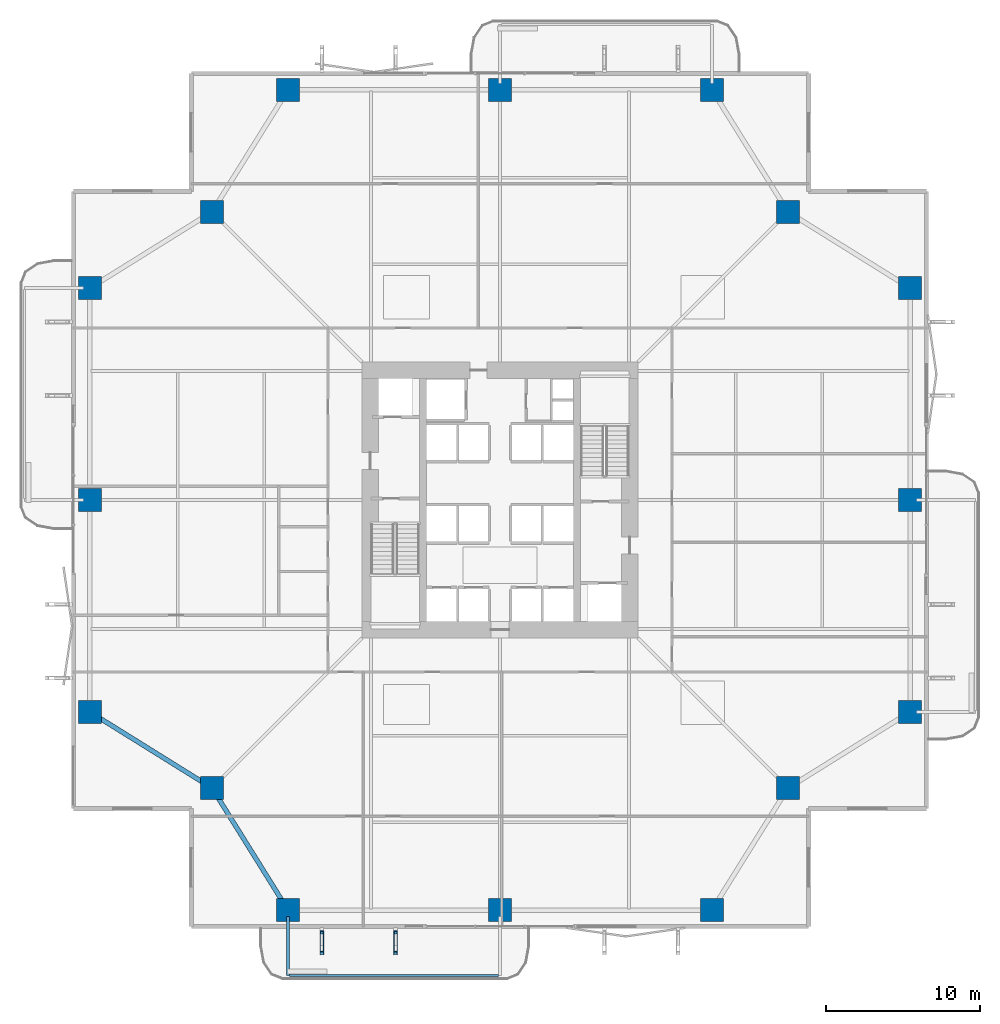
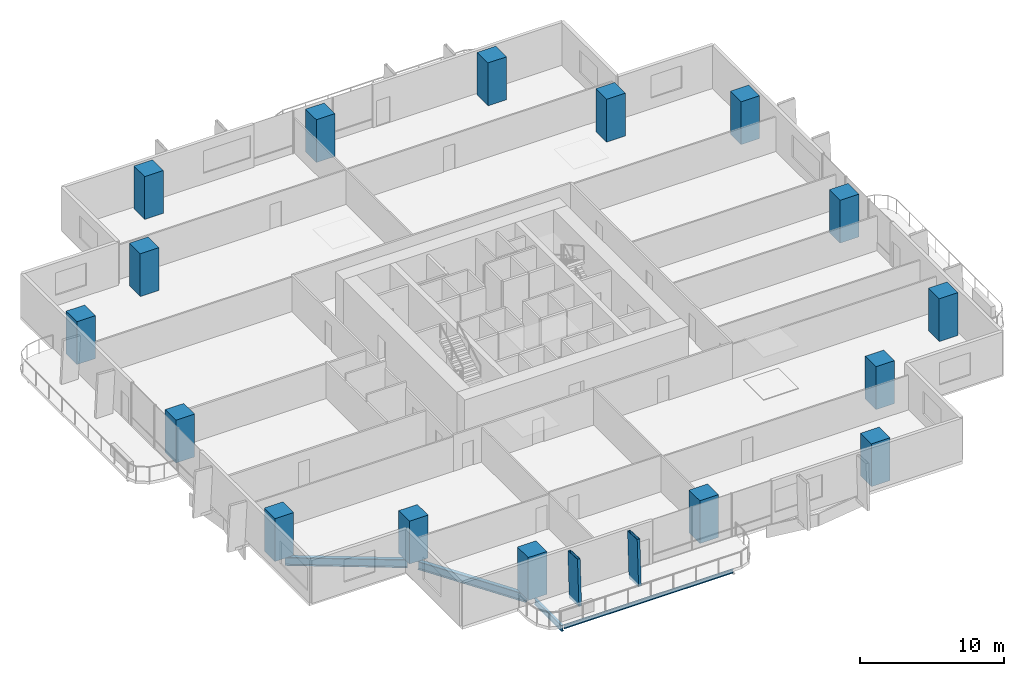
# One storey, part 1 of 23: 16 columns, 4 beams, 2 members.
"""IFC4 building model written with IfcOpenShell, lengths in metres."""

import ifcopenshell
import ifcopenshell.guid

model = None  # the IFC model being written
_history = None  # IfcOwnerHistory: only IFC2X3 demands one
_inside = {}  # id of a spatial element -> (the spatial element, [elements in it])
_under = {}  # id of a project, library or spatial element -> (it, [spatial elements below it])
_declared = {}  # id of a project -> (the project, [libraries it declares])
_typed = {}  # id of a type object -> (the type object, [elements of that type])
_made_of = {}  # id of a material, layer set ... -> (it, [elements and type objects made of it])


def new_model(schema):
    """Start an empty IFC model of exactly this schema.

    Asked for "IFC4X3", IfcOpenShell would pick the latest addendum, in which some entities
    have other attributes; the version numbers below select the first issue.
    IFC2X3 requires an IfcOwnerHistory on every rooted entity: one is made here for all.
    """
    global model, _history
    if schema == "IFC4X3":
        model = ifcopenshell.file(schema_version=(4, 3, 0, 0))
    else:
        model = ifcopenshell.file(schema=schema)
    _inside.clear()
    _under.clear()
    _declared.clear()
    _typed.clear()
    _made_of.clear()
    _history = None
    if model.schema == "IFC2X3":
        org = make("IfcOrganization", Name="unknown")
        user = make(
            "IfcPersonAndOrganization",
            ThePerson=make("IfcPerson", FamilyName="unknown"),
            TheOrganization=org,
        )
        app = make(
            "IfcApplication",
            ApplicationDeveloper=org,
            Version="unknown",
            ApplicationFullName="unknown",
            ApplicationIdentifier="unknown",
        )
        _history = make(
            "IfcOwnerHistory",
            OwningUser=user,
            OwningApplication=app,
            ChangeAction="ADDED",
            CreationDate=0,
        )
    return model


def make(cls, **values):
    """One entity of the class cls with the attributes given. An attribute that is None is left unset."""
    return model.create_entity(
        cls, **{name: value for name, value in values.items() if value is not None}
    )


def rooted(cls, **values):
    """An entity with a GlobalId (a new one), such as an element, a storey or a relation."""
    return make(cls, GlobalId=ifcopenshell.guid.new(), OwnerHistory=_history, **values)


def si_unit(unit_type, name, prefix=None):
    """IfcSIUnit, for example si_unit("LENGTHUNIT", "METRE", prefix="MILLI")."""
    return make("IfcSIUnit", UnitType=unit_type, Prefix=prefix, Name=name)


def assignment(units):
    """IfcUnitAssignment: the units of a project."""
    return None if units is None else make("IfcUnitAssignment", Units=units)


def point(xyz):
    """IfcCartesianPoint."""
    return None if xyz is None else make("IfcCartesianPoint", Coordinates=xyz)


def direction(xyz):
    """IfcDirection."""
    return None if xyz is None else make("IfcDirection", DirectionRatios=xyz)


def frame(location, z_axis=None, x_axis=None):
    """IfcAxis2Placement3D, a coordinate frame: its origin and axes. An axis left out is left unset."""
    return make(
        "IfcAxis2Placement3D",
        Location=point(location),
        Axis=direction(z_axis),
        RefDirection=direction(x_axis),
    )


def frame_2d(location, x_axis=None):
    """IfcAxis2Placement2D, a coordinate frame in the plane: its origin and x axis."""
    return make(
        "IfcAxis2Placement2D", Location=point(location), RefDirection=direction(x_axis)
    )


def origin():
    """The frame at (0, 0, 0) with its axes left unset."""
    return frame((0.0, 0.0, 0.0))


def origin_2d():
    """The frame at (0, 0) in the plane with its x axis left unset."""
    return frame_2d((0.0, 0.0))


def place(relative_to, where):
    """IfcLocalPlacement: puts the frame where relative to a parent placement (None: the world)."""
    return make(
        "IfcLocalPlacement", PlacementRelTo=relative_to, RelativePlacement=where
    )


def context(
    kind, dimensions, precision=None, world=None, true_north=None, identifier=None
):
    """IfcGeometricRepresentationContext, for example the 3D "Model" context."""
    return make(
        "IfcGeometricRepresentationContext",
        ContextIdentifier=identifier,
        ContextType=kind,
        CoordinateSpaceDimension=dimensions,
        Precision=precision,
        WorldCoordinateSystem=world,
        TrueNorth=true_north,
    )


def subcontext(parent, identifier, kind, view, scale=None):
    """IfcGeometricRepresentationSubContext, for example "Body" below "Model"."""
    return make(
        "IfcGeometricRepresentationSubContext",
        ContextIdentifier=identifier,
        ContextType=kind,
        ParentContext=parent,
        TargetScale=scale,
        TargetView=view,
    )


def project(units=None, contexts=None):
    """IfcProject with its units and contexts."""
    return rooted(
        "IfcProject",
        Name="project",
        RepresentationContexts=contexts,
        UnitsInContext=assignment(units),
    )


def spatial(cls, under=None, at=None, **own):
    """A site, building, storey or space (cls), placed at a placement, below another one or the project."""
    s = rooted(cls, ObjectPlacement=at, **own)
    if under is not None:
        _under.setdefault(under.id(), (under, []))[1].append(s)
    return s


def profile(cls, at=None, kind="AREA", **sizes):
    """A parametric profile (cls). Its sizes go by their IFC names, for example OverallWidth=200.0."""
    return make(cls, ProfileType=kind, Position=at, **sizes)


def rectangle(**sizes):
    """IfcRectangleProfileDef."""
    return profile("IfcRectangleProfileDef", **sizes)


def hollow_rectangle(**sizes):
    """IfcRectangleHollowProfileDef."""
    return profile("IfcRectangleHollowProfileDef", **sizes)


def i_section(**sizes):
    """IfcIShapeProfileDef."""
    return profile("IfcIShapeProfileDef", **sizes)


def extrude(swept, where, along, depth):
    """IfcExtrudedAreaSolid: the profile swept, set in the frame where, extruded along a direction by depth."""
    return make(
        "IfcExtrudedAreaSolid",
        SweptArea=swept,
        Position=where,
        ExtrudedDirection=direction(along),
        Depth=depth,
    )


def shape(context_of_items, identifier, shape_type, items):
    """IfcShapeRepresentation: the items that make up one representation, for example the "Body"."""
    return make(
        "IfcShapeRepresentation",
        ContextOfItems=context_of_items,
        RepresentationIdentifier=identifier,
        RepresentationType=shape_type,
        Items=items,
    )


def material(Name=None, Category=None):
    """IfcMaterial."""
    return make("IfcMaterial", Name=Name, Category=Category)


def material_profile(
    of_material, cross_section, Name=None, Category=None, Priority=None
):
    """IfcMaterialProfile: a cross section and its material."""
    return make(
        "IfcMaterialProfile",
        Name=Name,
        Material=of_material,
        Profile=cross_section,
        Priority=Priority,
        Category=Category,
    )


def profile_set(profiles, Name=None, composite=None):
    """IfcMaterialProfileSet."""
    return make(
        "IfcMaterialProfileSet",
        Name=Name,
        MaterialProfiles=profiles,
        CompositeProfile=composite,
    )


def made_of(thing, what):
    """Note that an element or type object is made of a material, layer set ...; save() writes the relation."""
    if what is not None:
        _made_of.setdefault(what.id(), (what, []))[1].append(thing)
    return thing


def type_object(cls, material=None, **own):
    """A type object (cls), such as IfcWallType, which elements share."""
    return made_of(rooted(cls, **own), material)


def element(
    cls,
    number,
    at=None,
    inside=None,
    cuts=None,
    type_object=None,
    material=None,
    context=None,
    identifier="Body",
    shape_type=None,
    held_by="IfcProductDefinitionShape",
    body=None,
    shapes=None,
    **own,
):
    """One element of the class cls, such as IfcWall. Its Tag is "e" and its number.

    at: its placement. inside: the storey or other place that contains it. cuts: it is an
    opening in that element (IfcRelVoidsElement). A single representation is given by context,
    identifier, shape_type and body (its items); several are given by shapes. held_by: the class
    of the entity that holds the representations. save() writes the other relations.
    """
    e = rooted(cls, Tag="e%d" % number, ObjectPlacement=at, **own)
    if body is not None:
        shapes = [shape(context, identifier, shape_type, body)]
    if shapes is not None:
        e.Representation = make(held_by, Representations=shapes)
    if inside is not None:
        _inside.setdefault(inside.id(), (inside, []))[1].append(e)
    if cuts is not None:
        rooted(
            "IfcRelVoidsElement", RelatingBuildingElement=cuts, RelatedOpeningElement=e
        )
    if type_object is not None:
        _typed.setdefault(type_object.id(), (type_object, []))[1].append(e)
    return made_of(e, material)


def aggregate(whole, parts):
    """IfcRelAggregates: a whole, such as a stair, and the parts it consists of."""
    return rooted("IfcRelAggregates", RelatingObject=whole, RelatedObjects=parts)


def save(model, path):
    """Write the relations noted so far, then the file.

    IfcRelAggregates (storeys below a building ...), IfcRelContainedInSpatialStructure (elements
    in a storey), IfcRelDefinesByType, IfcRelAssociatesMaterial and IfcRelDeclares: one each for
    every whole, place, type object, material and project.
    """
    for whole, parts in _under.values():
        aggregate(whole, parts)
    for where, things in _inside.values():
        rooted(
            "IfcRelContainedInSpatialStructure",
            RelatedElements=things,
            RelatingStructure=where,
        )
    for kind, things in _typed.values():
        rooted("IfcRelDefinesByType", RelatedObjects=things, RelatingType=kind)
    for what, things in _made_of.values():
        rooted("IfcRelAssociatesMaterial", RelatedObjects=things, RelatingMaterial=what)
    for by, libraries in _declared.values():
        rooted("IfcRelDeclares", RelatingContext=by, RelatedDefinitions=libraries)
    model.write(path)


model = new_model("IFC4")

# Units and contexts
model_context = context("Model", 3, precision=1e-05, world=origin(), true_north=direction((0.0, 1.0)))
body_context = subcontext(model_context, "Body", "Model", "MODEL_VIEW")
ifc_project = project(units=[si_unit("LENGTHUNIT", "METRE"), si_unit("AREAUNIT", "SQUARE_METRE"), si_unit("VOLUMEUNIT", "CUBIC_METRE"), si_unit("PLANEANGLEUNIT", "RADIAN"), si_unit("MASSUNIT", "GRAM", prefix="KILO")], contexts=[model_context])

# Site, building, storey
site_placement = place(None, origin())
site = spatial("IfcSite", under=ifc_project, at=site_placement, CompositionType="ELEMENT")
building_placement = place(site_placement, origin())
building = spatial("IfcBuilding", under=site, at=building_placement, Name="Belovzor Exchange Tower", CompositionType="ELEMENT")
storey_placement = place(building_placement, frame((0.0, 0.0, 76.800048828125)))
storey = spatial("IfcBuildingStorey", under=building, at=storey_placement, Name="L18", CompositionType="ELEMENT", Elevation=76.800048828125)

# Columns
ifc_material_1 = material(Name="Concrete C60/75", Category="concrete")
ifc_material_profile_1 = material_profile(ifc_material_1, rectangle(XDim=1.5, YDim=1.5, at=origin_2d()))
ifc_profile_set_1 = profile_set([ifc_material_profile_1], Name="Concrete C60/75")
column_type = type_object("IfcColumnType", Name="Reinforced Concrete Tower Column 1500x1500", PredefinedType="COLUMN", material=ifc_profile_set_1)
for number, where, z_axis, x_axis, name in (
    (1, (15.0, 2.10009765625, 0.0029296875), (0.0, 0.0, 1.0), (1.0, 0.0, 0.0), "COL-T150 Reinforced Concrete Tower Column 1500x1500"),
    (2, (28.800048828125, 2.10009765625, 0.0029296875), (0.0, 0.0, 1.0), (1.0, 0.0, 0.0), "COL-T150 Reinforced Concrete Tower Column 1500x1500"),
    (3, (42.60009765625, 2.10009765625, 0.0029296875), (0.0, 0.0, 1.0), (1.0, 0.0, 0.0), "COL-T150 Reinforced Concrete Tower Column 1500x1500"),
    (4, (55.5, 15.0, 0.0029296875), (0.0, 0.0, 1.0), (1.0, 0.0, 0.0), "COL-T150 Reinforced Concrete Tower Column 1500x1500"),
    (5, (55.5, 28.800048828125, 0.0029296875), (0.0, 0.0, 1.0), (1.0, 0.0, 0.0), "COL-T150 Reinforced Concrete Tower Column 1500x1500"),
    (6, (55.5, 42.60009765625, 0.0029296875), (0.0, 0.0, 1.0), (1.0, 0.0, 0.0), "COL-T150 Reinforced Concrete Tower Column 1500x1500"),
    (7, (42.60009765625, 55.5, 0.0029296875), (0.0, 0.0, 1.0), (1.0, 0.0, 0.0), "COL-T150 Reinforced Concrete Tower Column 1500x1500"),
    (8, (28.800048828125, 55.5, 0.0029296875), (0.0, 0.0, 1.0), (1.0, 0.0, 0.0), "COL-T150 Reinforced Concrete Tower Column 1500x1500"),
    (9, (15.0, 55.5, 0.0029296875), (0.0, 0.0, 1.0), (1.0, 0.0, 0.0), "COL-T150 Reinforced Concrete Tower Column 1500x1500"),
    (10, (2.10009765625, 42.60009765625, 0.0029296875), (0.0, 0.0, 1.0), (1.0, 0.0, 0.0), "COL-T150 Reinforced Concrete Tower Column 1500x1500"),
    (11, (2.10009765625, 28.800048828125, 0.0029296875), (0.0, 0.0, 1.0), (1.0, 0.0, 0.0), "COL-T150 Reinforced Concrete Tower Column 1500x1500"),
    (12, (2.10009765625, 15.0, 0.0029296875), (0.0, 0.0, 1.0), (1.0, 0.0, 0.0), "COL-T150 Reinforced Concrete Tower Column 1500x1500"),
    (13, (10.050048828125, 10.050048828125, 0.0029296875), (0.0, 0.0, 1.0), (1.0, 0.0, 0.0), "COL-T150 Reinforced Concrete Tower Column 1500x1500"),
    (14, (47.550048828125, 10.050048828125, 0.0029296875), (0.0, 0.0, 1.0), (1.0, 0.0, 0.0), "COL-T150 Reinforced Concrete Tower Column 1500x1500"),
    (15, (47.550048828125, 47.550048828125, 0.0029296875), (0.0, 0.0, 1.0), (1.0, 0.0, 0.0), "COL-T150 Reinforced Concrete Tower Column 1500x1500"),
    (16, (10.050048828125, 47.550048828125, 0.0029296875), (0.0, 0.0, 1.0), (1.0, 0.0, 0.0), "COL-T150 Reinforced Concrete Tower Column 1500x1500"),
):
    element("IfcColumn", number, at=place(storey_placement, frame(where, z_axis=z_axis, x_axis=x_axis)), inside=storey, type_object=column_type, Name=name, PredefinedType="COLUMN", context=body_context, shape_type="SweptSolid", body=[
        extrude(rectangle(XDim=1.5, YDim=1.5, at=origin_2d()), origin(), (0.0, 0.0, 1.0), 3.64404296875),
    ])

# Members
ifc_material_2 = material(Name="Extruded Architectural Terracotta on Steel S355 Carrier", Category="masonry")
ifc_material_profile_2 = material_profile(ifc_material_2, hollow_rectangle(XDim=0.219970703125, YDim=1.35009765625, WallThickness=0.013916015625, at=origin_2d()))
ifc_profile_set_2 = profile_set([ifc_material_profile_2], Name="Extruded Architectural Terracotta on Steel S355 Carrier")
member_type = type_object("IfcMemberType", Name="Base Arc Sweeping Terracotta Pylon Fin 1450", PredefinedType="USERDEFINED", material=ifc_profile_set_2)
for number, where, z_axis, x_axis, name in (
    (17, (17.199951171875, -0.1259765625, -0.25), (0.0, 0.050704695274, 0.998713689641), (-1.0, 0.0, 0.0), "FIN-TC145 Terracotta Facade Fin L18 S1"),
    (18, (22.0, -0.1259765625, -0.25), (0.0, 0.050704695274, 0.998713689641), (-1.0, 0.0, 0.0), "FIN-TC145 Terracotta Facade Fin L18 S2"),
):
    element("IfcMember", number, at=place(storey_placement, frame(where, z_axis=z_axis, x_axis=x_axis)), inside=storey, type_object=member_type, Name=name, ObjectType="FIN", PredefinedType="USERDEFINED", context=body_context, shape_type="SweptSolid", body=[
        extrude(hollow_rectangle(XDim=0.219970703125, YDim=1.35009765625, WallThickness=0.013916015625, at=origin_2d()), origin(), (0.0, 0.0, 1.0), 3.905029296875),
    ])

# Beams
ifc_material_3 = material(Name="Steel S355", Category="steel")
ifc_material_profile_3 = material_profile(ifc_material_3, i_section(OverallWidth=0.199951171875, OverallDepth=0.5, WebThickness=0.01025390625, FlangeThickness=0.01611328125, at=origin_2d()))
ifc_profile_set_3 = profile_set([ifc_material_profile_3], Name="Steel S355")
beam_type_1 = type_object("IfcBeamType", Name="Planted Balcony Cantilever Beam IPE 500", PredefinedType="BEAM", material=ifc_profile_set_3)
beam_1_placement = place(storey_placement, frame((15.0, 1.68798828125, -0.5), z_axis=(0.0, -1.0, 0.0), x_axis=(1.0, 0.0, 0.0)))
element("IfcBeam", 19, at=beam_1_placement, inside=storey, type_object=beam_type_1, Name="BC-500 Planted Balcony Cantilever Beam IPE 500", PredefinedType="BEAM", context=body_context, shape_type="SweptSolid", body=[
    extrude(i_section(OverallWidth=0.199951171875, OverallDepth=0.5, WebThickness=0.01025390625, FlangeThickness=0.01611328125, at=origin_2d()), origin(), (0.0, 0.0, 1.0), 3.85009765625),
])
ifc_material_4 = material(Name="Steel S355", Category="steel")
ifc_material_profile_4 = material_profile(ifc_material_4, i_section(OverallWidth=0.14990234375, OverallDepth=0.300048828125, WebThickness=0.007080078125, FlangeThickness=0.0107421875, at=origin_2d()))
ifc_profile_set_4 = profile_set([ifc_material_profile_4], Name="Steel S355")
beam_type_2 = type_object("IfcBeamType", Name="Planted Balcony Fascia Edge Beam IPE 300", PredefinedType="BEAM", material=ifc_profile_set_4)
beam_2_placement = place(storey_placement, frame((15.10009765625, -2.162109375, -0.400146484375), z_axis=(1.0, 0.0, 0.0), x_axis=(0.0, 1.0, 0.0)))
element("IfcBeam", 20, at=beam_2_placement, inside=storey, type_object=beam_type_2, Name="BC-300 Planted Balcony Fascia Edge Beam IPE 300", PredefinedType="BEAM", context=body_context, shape_type="SweptSolid", body=[
    extrude(i_section(OverallWidth=0.14990234375, OverallDepth=0.300048828125, WebThickness=0.007080078125, FlangeThickness=0.0107421875, at=origin_2d()), origin(), (0.0, 0.0, 1.0), 13.599853515625),
])
ifc_material_5 = material(Name="Steel S355", Category="steel")
ifc_material_profile_5 = material_profile(ifc_material_5, i_section(OverallWidth=0.300048828125, OverallDepth=0.699951171875, WebThickness=0.01708984375, FlangeThickness=0.031982421875, at=origin_2d()))
ifc_profile_set_5 = profile_set([ifc_material_profile_5], Name="Steel S355")
beam_type_3 = type_object("IfcBeamType", Name="Zone 1 Primary Perimeter Girder HEB 700", PredefinedType="BEAM", material=ifc_profile_set_5)
for number, where, z_axis, x_axis, name in (
    (21, (10.26806640625, 9.699951171875, -0.60009765625), (0.528538629686, -0.848909251292, 0.0), (0.848909251292, 0.528538629686, 0.0), "FG-Z1 Zone 1 Primary Perimeter Girder HEB 700"),
    (22, (2.449951171875, 14.781982421875, -0.60009765625), (0.848909251292, -0.528538629686, 0.0), (0.528538629686, 0.848909251292, 0.0), "FG-Z1 Zone 1 Primary Perimeter Girder HEB 700"),
):
    element("IfcBeam", number, at=place(storey_placement, frame(where, z_axis=z_axis, x_axis=x_axis)), inside=storey, type_object=beam_type_3, Name=name, PredefinedType="BEAM", context=body_context, shape_type="SweptSolid", body=[
        extrude(i_section(OverallWidth=0.300048828125, OverallDepth=0.699951171875, WebThickness=0.01708984375, FlangeThickness=0.031982421875, at=origin_2d()), origin(), (0.0, 0.0, 1.0), 8.540283203125),
    ])

save(model, "model.ifc")
